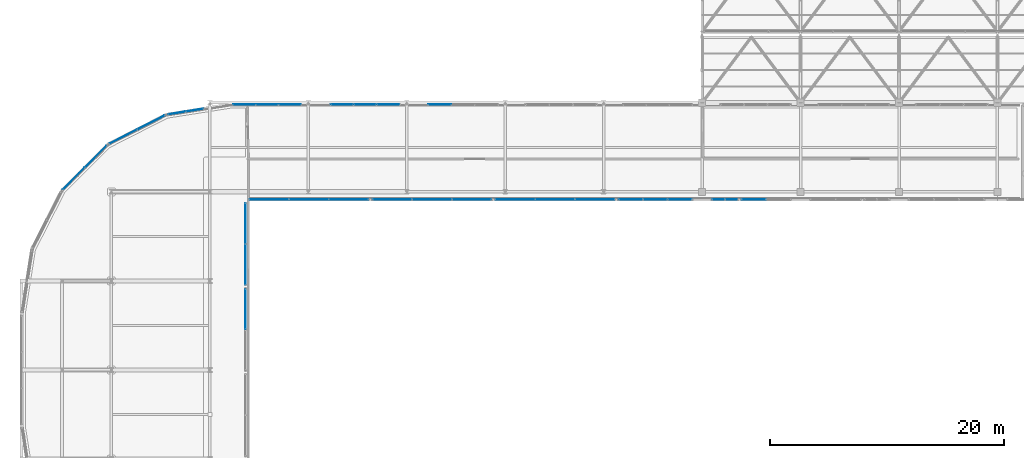
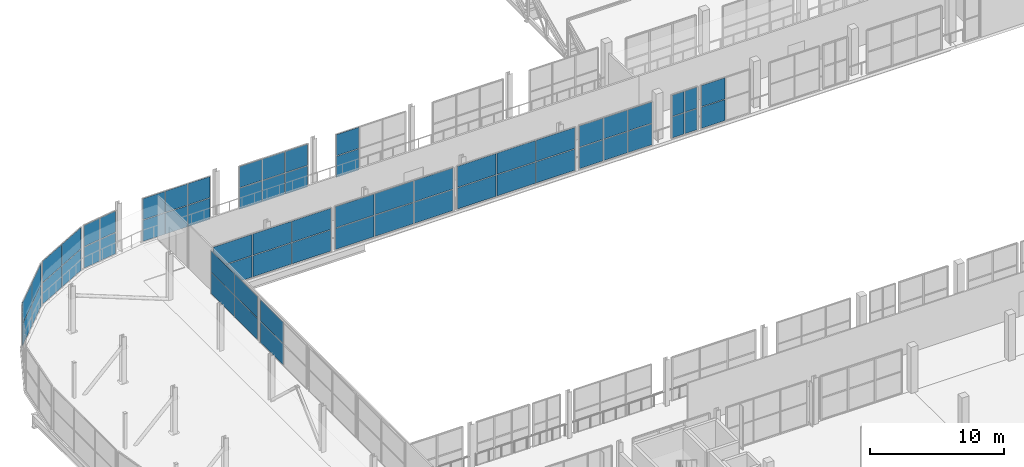
# One storey, part 169 of 217: 62 plates, 14 elements without a shape of their own.
"""IFC4 building model written with IfcOpenShell, lengths in metres."""

from ifc_helpers import new_model, si_unit, direction, frame, origin, origin_2d, place, context, subcontext, project, spatial, rectangle, extrude, material, layer, layer_set, type_object, element, aggregate, save


model = new_model("IFC4")

# Units and contexts
model_context = context("Model", 3, precision=1e-05, world=origin(), true_north=direction((0.0, 1.0)))
body_context = subcontext(model_context, "Body", "Model", "MODEL_VIEW")
ifc_project = project(units=[si_unit("LENGTHUNIT", "METRE"), si_unit("AREAUNIT", "SQUARE_METRE"), si_unit("VOLUMEUNIT", "CUBIC_METRE"), si_unit("PLANEANGLEUNIT", "RADIAN"), si_unit("MASSUNIT", "GRAM", prefix="KILO")], contexts=[model_context])

# Site, building, storey
site_placement = place(None, origin())
site = spatial("IfcSite", under=ifc_project, at=site_placement, CompositionType="ELEMENT")
building_placement = place(site_placement, origin())
building = spatial("IfcBuilding", under=site, at=building_placement, Name="Zuvorla Pavilion Media Centre", CompositionType="ELEMENT")
storey_placement = place(building_placement, frame((0.0, 0.0, 9.60009765625)))
storey = spatial("IfcBuildingStorey", under=building, at=storey_placement, Name="L02", CompositionType="ELEMENT", Elevation=9.60009765625)

# Curtain wall, plates
ifc_material_1 = material(Name="Unitised anodised aluminium and solar glass curtain wall", Category="aluminium")
curtain_wall_type_1 = type_object("IfcCurtainWallType", Name="CW-SYS-17", PredefinedType="USERDEFINED", material=ifc_material_1)
curtain_wall_1_placement = place(storey_placement, origin())
curtain_wall_1 = element("IfcCurtainWall", 1, at=curtain_wall_1_placement, inside=storey, type_object=curtain_wall_type_1, Name="L02 curtain wall CW17 25", ObjectType="CURTAIN WALL", PredefinedType="USERDEFINED")
ifc_material_2 = material(Name="Solar control double glazing", Category="glass")
ifc_layer_1 = layer(ifc_material_2, 0.028076171875)
ifc_layer_set_1 = layer_set([ifc_layer_1], Name="Solar control double glazing")
plate_type_1 = type_object("IfcPlateType", Name="CW-PNL-28", PredefinedType="CURTAIN_PANEL", material=ifc_layer_set_1)
plate_1_placement = place(storey_placement, frame((40.013916015625, 89.43994140625, 0.02978515625), z_axis=(0.0, 0.0, 1.0), x_axis=(-1.0, 0.0, 0.0)))
plate_1 = element("IfcPlate", 2, at=plate_1_placement, type_object=plate_type_1, Name="CW17 panel 1.1", PredefinedType="CURTAIN_PANEL", context=body_context, shape_type="SweptSolid", body=[
    extrude(rectangle(XDim=1.91162109375, YDim=0.028076171875, at=origin_2d()), origin(), (0.0, 0.0, 1.0), 1.9150390625),
])
plate_2_placement = place(storey_placement, frame((40.013916015625, 89.43994140625, 2.0048828125), z_axis=(0.0, 0.0, 1.0), x_axis=(-1.0, 0.0, 0.0)))
plate_2 = element("IfcPlate", 3, at=plate_2_placement, type_object=plate_type_1, Name="CW17 panel 1.2", PredefinedType="CURTAIN_PANEL", context=body_context, shape_type="SweptSolid", body=[
    extrude(rectangle(XDim=1.91162109375, YDim=0.028076171875, at=origin_2d()), origin(), (0.0, 0.0, 1.0), 1.9150390625),
])
plate_3_placement = place(storey_placement, frame((38.04248046875, 89.43994140625, 0.02978515625), z_axis=(0.0, 0.0, 1.0), x_axis=(-1.0, 0.0, 0.0)))
plate_3 = element("IfcPlate", 4, at=plate_3_placement, type_object=plate_type_1, Name="CW17 panel 2.1", PredefinedType="CURTAIN_PANEL", context=body_context, shape_type="SweptSolid", body=[
    extrude(rectangle(XDim=1.91162109375, YDim=0.028076171875, at=origin_2d()), origin(), (0.0, 0.0, 1.0), 1.9150390625),
])
plate_4_placement = place(storey_placement, frame((38.04248046875, 89.43994140625, 2.0048828125), z_axis=(0.0, 0.0, 1.0), x_axis=(-1.0, 0.0, 0.0)))
plate_4 = element("IfcPlate", 5, at=plate_4_placement, type_object=plate_type_1, Name="CW17 panel 2.2", PredefinedType="CURTAIN_PANEL", context=body_context, shape_type="SweptSolid", body=[
    extrude(rectangle(XDim=1.91162109375, YDim=0.028076171875, at=origin_2d()), origin(), (0.0, 0.0, 1.0), 1.9150390625),
])
plate_5_placement = place(storey_placement, frame((36.07080078125, 89.43994140625, 0.02978515625), z_axis=(0.0, 0.0, 1.0), x_axis=(-1.0, 0.0, 0.0)))
plate_5 = element("IfcPlate", 6, at=plate_5_placement, type_object=plate_type_1, Name="CW17 panel 3.1", PredefinedType="CURTAIN_PANEL", context=body_context, shape_type="SweptSolid", body=[
    extrude(rectangle(XDim=1.91162109375, YDim=0.028076171875, at=origin_2d()), origin(), (0.0, 0.0, 1.0), 1.9150390625),
])
plate_6_placement = place(storey_placement, frame((36.07080078125, 89.43994140625, 2.0048828125), z_axis=(0.0, 0.0, 1.0), x_axis=(-1.0, 0.0, 0.0)))
plate_6 = element("IfcPlate", 7, at=plate_6_placement, type_object=plate_type_1, Name="CW17 panel 3.2", PredefinedType="CURTAIN_PANEL", context=body_context, shape_type="SweptSolid", body=[
    extrude(rectangle(XDim=1.91162109375, YDim=0.028076171875, at=origin_2d()), origin(), (0.0, 0.0, 1.0), 1.9150390625),
])
aggregate(curtain_wall_1, [plate_1, plate_2, plate_3, plate_4, plate_5, plate_6])

curtain_wall_type_2 = type_object("IfcCurtainWallType", Name="CW-SYS-01", PredefinedType="USERDEFINED", material=ifc_material_1)
curtain_wall_2_placement = place(storey_placement, origin())
curtain_wall_2 = element("IfcCurtainWall", 8, at=curtain_wall_2_placement, inside=storey, type_object=curtain_wall_type_2, Name="L02 curtain wall CW01 27", ObjectType="CURTAIN WALL", PredefinedType="USERDEFINED")
plate_7_placement = place(storey_placement, frame((23.50927734375, 88.96875, 0.02978515625), z_axis=(0.0, 0.0, 1.0), x_axis=(-0.987690520963, -0.156420698118, 0.0)))
plate_7 = element("IfcPlate", 9, at=plate_7_placement, type_object=plate_type_1, Name="CW01 panel 1.1", PredefinedType="CURTAIN_PANEL", context=body_context, shape_type="SweptSolid", body=[
    extrude(rectangle(XDim=1.48681640625, YDim=0.028076171875, at=origin_2d()), origin(), (0.0, 0.0, 1.0), 1.9150390625),
])
plate_8_placement = place(storey_placement, frame((23.50927734375, 88.96875, 2.0048828125), z_axis=(0.0, 0.0, 1.0), x_axis=(-0.987690520963, -0.156420698118, 0.0)))
plate_8 = element("IfcPlate", 10, at=plate_8_placement, type_object=plate_type_1, Name="CW01 panel 1.2", PredefinedType="CURTAIN_PANEL", context=body_context, shape_type="SweptSolid", body=[
    extrude(rectangle(XDim=1.48681640625, YDim=0.028076171875, at=origin_2d()), origin(), (0.0, 0.0, 1.0), 1.9150390625),
])
plate_9_placement = place(storey_placement, frame((21.9814453125, 88.726806640625, 0.02978515625), z_axis=(0.0, 0.0, 1.0), x_axis=(-0.987690520963, -0.156420698118, 0.0)))
plate_9 = element("IfcPlate", 11, at=plate_9_placement, type_object=plate_type_1, Name="CW01 panel 2.1", PredefinedType="CURTAIN_PANEL", context=body_context, shape_type="SweptSolid", body=[
    extrude(rectangle(XDim=1.48681640625, YDim=0.028076171875, at=origin_2d()), origin(), (0.0, 0.0, 1.0), 1.9150390625),
])
plate_10_placement = place(storey_placement, frame((21.9814453125, 88.726806640625, 2.0048828125), z_axis=(0.0, 0.0, 1.0), x_axis=(-0.987690520963, -0.156420698118, 0.0)))
plate_10 = element("IfcPlate", 12, at=plate_10_placement, type_object=plate_type_1, Name="CW01 panel 2.2", PredefinedType="CURTAIN_PANEL", context=body_context, shape_type="SweptSolid", body=[
    extrude(rectangle(XDim=1.48681640625, YDim=0.028076171875, at=origin_2d()), origin(), (0.0, 0.0, 1.0), 1.9150390625),
])
aggregate(curtain_wall_2, [plate_7, plate_8, plate_9, plate_10])

curtain_wall_type_3 = type_object("IfcCurtainWallType", Name="CW-SYS-35", PredefinedType="USERDEFINED", material=ifc_material_1)
curtain_wall_3_placement = place(storey_placement, origin())
curtain_wall_3 = element("IfcCurtainWall", 13, at=curtain_wall_3_placement, inside=storey, type_object=curtain_wall_type_3, Name="L02 curtain wall CW35 56", ObjectType="CURTAIN WALL", PredefinedType="USERDEFINED")
plate_11_placement = place(storey_placement, frame((57.643310546875, 81.360107421875, 0.02978515625), z_axis=(0.0, 0.0, 1.0), x_axis=(-1.0, 0.0, 0.0)))
plate_11 = element("IfcPlate", 14, at=plate_11_placement, type_object=plate_type_1, Name="CW35 panel 1.1", PredefinedType="CURTAIN_PANEL", context=body_context, shape_type="SweptSolid", body=[
    extrude(rectangle(XDim=3.333251953125, YDim=0.028076171875, at=origin_2d()), origin(), (0.0, 0.0, 1.0), 1.9150390625),
])
plate_12_placement = place(storey_placement, frame((57.643310546875, 81.360107421875, 2.0048828125), z_axis=(0.0, 0.0, 1.0), x_axis=(-1.0, 0.0, 0.0)))
plate_12 = element("IfcPlate", 15, at=plate_12_placement, type_object=plate_type_1, Name="CW35 panel 1.2", PredefinedType="CURTAIN_PANEL", context=body_context, shape_type="SweptSolid", body=[
    extrude(rectangle(XDim=3.333251953125, YDim=0.028076171875, at=origin_2d()), origin(), (0.0, 0.0, 1.0), 1.9150390625),
])
plate_13_placement = place(storey_placement, frame((54.25, 81.360107421875, 0.02978515625), z_axis=(0.0, 0.0, 1.0), x_axis=(-1.0, 0.0, 0.0)))
plate_13 = element("IfcPlate", 16, at=plate_13_placement, type_object=plate_type_1, Name="CW35 panel 2.1", PredefinedType="CURTAIN_PANEL", context=body_context, shape_type="SweptSolid", body=[
    extrude(rectangle(XDim=3.333251953125, YDim=0.028076171875, at=origin_2d()), origin(), (0.0, 0.0, 1.0), 1.9150390625),
])
plate_14_placement = place(storey_placement, frame((54.25, 81.360107421875, 2.0048828125), z_axis=(0.0, 0.0, 1.0), x_axis=(-1.0, 0.0, 0.0)))
plate_14 = element("IfcPlate", 17, at=plate_14_placement, type_object=plate_type_1, Name="CW35 panel 2.2", PredefinedType="CURTAIN_PANEL", context=body_context, shape_type="SweptSolid", body=[
    extrude(rectangle(XDim=3.333251953125, YDim=0.028076171875, at=origin_2d()), origin(), (0.0, 0.0, 1.0), 1.9150390625),
])
plate_15_placement = place(storey_placement, frame((50.856689453125, 81.360107421875, 0.02978515625), z_axis=(0.0, 0.0, 1.0), x_axis=(-1.0, 0.0, 0.0)))
plate_15 = element("IfcPlate", 18, at=plate_15_placement, type_object=plate_type_1, Name="CW35 panel 3.1", PredefinedType="CURTAIN_PANEL", context=body_context, shape_type="SweptSolid", body=[
    extrude(rectangle(XDim=3.333251953125, YDim=0.028076171875, at=origin_2d()), origin(), (0.0, 0.0, 1.0), 1.9150390625),
])
plate_16_placement = place(storey_placement, frame((50.856689453125, 81.360107421875, 2.0048828125), z_axis=(0.0, 0.0, 1.0), x_axis=(-1.0, 0.0, 0.0)))
plate_16 = element("IfcPlate", 19, at=plate_16_placement, type_object=plate_type_1, Name="CW35 panel 3.2", PredefinedType="CURTAIN_PANEL", context=body_context, shape_type="SweptSolid", body=[
    extrude(rectangle(XDim=3.333251953125, YDim=0.028076171875, at=origin_2d()), origin(), (0.0, 0.0, 1.0), 1.9150390625),
])
aggregate(curtain_wall_3, [plate_11, plate_12, plate_13, plate_14, plate_15, plate_16])

curtain_wall_type_4 = type_object("IfcCurtainWallType", Name="CW-SYS-19", PredefinedType="USERDEFINED", material=ifc_material_1)
curtain_wall_4_placement = place(storey_placement, origin())
curtain_wall_4 = element("IfcCurtainWall", 20, at=curtain_wall_4_placement, inside=storey, type_object=curtain_wall_type_4, Name="L02 curtain wall CW19 26", ObjectType="CURTAIN WALL", PredefinedType="USERDEFINED")
ifc_material_3 = material(Name="Acoustic laminated solar glazing", Category="glass")
ifc_layer_2 = layer(ifc_material_3, 0.033935546875)
ifc_layer_set_2 = layer_set([ifc_layer_2], Name="Acoustic laminated solar glazing")
plate_type_2 = type_object("IfcPlateType", Name="CW-PNL-34", PredefinedType="CURTAIN_PANEL", material=ifc_layer_set_2)
plate_17_placement = place(storey_placement, frame((31.62646484375, 89.43994140625, 0.02978515625), z_axis=(0.0, 0.0, 1.0), x_axis=(-1.0, 0.0, 0.0)))
plate_17 = element("IfcPlate", 21, at=plate_17_placement, type_object=plate_type_2, Name="CW19 panel 1.1", PredefinedType="CURTAIN_PANEL", context=body_context, shape_type="SweptSolid", body=[
    extrude(rectangle(XDim=1.88671875, YDim=0.033935546875, at=origin_2d()), origin(), (0.0, 0.0, 1.0), 1.9150390625),
])
plate_18_placement = place(storey_placement, frame((31.62646484375, 89.43994140625, 2.0048828125), z_axis=(0.0, 0.0, 1.0), x_axis=(-1.0, 0.0, 0.0)))
plate_18 = element("IfcPlate", 22, at=plate_18_placement, type_object=plate_type_2, Name="CW19 panel 1.2", PredefinedType="CURTAIN_PANEL", context=body_context, shape_type="SweptSolid", body=[
    extrude(rectangle(XDim=1.88671875, YDim=0.033935546875, at=origin_2d()), origin(), (0.0, 0.0, 1.0), 1.9150390625),
])
plate_19_placement = place(storey_placement, frame((29.679931640625, 89.43994140625, 0.02978515625), z_axis=(0.0, 0.0, 1.0), x_axis=(-1.0, 0.0, 0.0)))
plate_19 = element("IfcPlate", 23, at=plate_19_placement, type_object=plate_type_2, Name="CW19 panel 2.1", PredefinedType="CURTAIN_PANEL", context=body_context, shape_type="SweptSolid", body=[
    extrude(rectangle(XDim=1.88671875, YDim=0.033935546875, at=origin_2d()), origin(), (0.0, 0.0, 1.0), 1.9150390625),
])
plate_20_placement = place(storey_placement, frame((29.679931640625, 89.43994140625, 2.0048828125), z_axis=(0.0, 0.0, 1.0), x_axis=(-1.0, 0.0, 0.0)))
plate_20 = element("IfcPlate", 24, at=plate_20_placement, type_object=plate_type_2, Name="CW19 panel 2.2", PredefinedType="CURTAIN_PANEL", context=body_context, shape_type="SweptSolid", body=[
    extrude(rectangle(XDim=1.88671875, YDim=0.033935546875, at=origin_2d()), origin(), (0.0, 0.0, 1.0), 1.9150390625),
])
plate_21_placement = place(storey_placement, frame((27.7333984375, 89.43994140625, 0.02978515625), z_axis=(0.0, 0.0, 1.0), x_axis=(-1.0, 0.0, 0.0)))
plate_21 = element("IfcPlate", 25, at=plate_21_placement, type_object=plate_type_2, Name="CW19 panel 3.1", PredefinedType="CURTAIN_PANEL", context=body_context, shape_type="SweptSolid", body=[
    extrude(rectangle(XDim=1.88671875, YDim=0.033935546875, at=origin_2d()), origin(), (0.0, 0.0, 1.0), 1.9150390625),
])
plate_22_placement = place(storey_placement, frame((27.7333984375, 89.43994140625, 2.0048828125), z_axis=(0.0, 0.0, 1.0), x_axis=(-1.0, 0.0, 0.0)))
plate_22 = element("IfcPlate", 26, at=plate_22_placement, type_object=plate_type_2, Name="CW19 panel 3.2", PredefinedType="CURTAIN_PANEL", context=body_context, shape_type="SweptSolid", body=[
    extrude(rectangle(XDim=1.88671875, YDim=0.033935546875, at=origin_2d()), origin(), (0.0, 0.0, 1.0), 1.9150390625),
])
aggregate(curtain_wall_4, [plate_17, plate_18, plate_19, plate_20, plate_21, plate_22])

curtain_wall_type_5 = type_object("IfcCurtainWallType", Name="CW-SYS-02", PredefinedType="USERDEFINED", material=ifc_material_1)
curtain_wall_5_placement = place(storey_placement, origin())
curtain_wall_5 = element("IfcCurtainWall", 27, at=curtain_wall_5_placement, inside=storey, type_object=curtain_wall_type_5, Name="L02 curtain wall CW02 28", ObjectType="CURTAIN WALL", PredefinedType="USERDEFINED")
plate_23_placement = place(storey_placement, frame((19.775634765625, 87.918701171875, 0.02978515625), z_axis=(0.0, 0.0, 1.0), x_axis=(-0.891008892216, -0.453985852193, 0.0)))
plate_23 = element("IfcPlate", 28, at=plate_23_placement, type_object=plate_type_2, Name="CW02 panel 1.1", PredefinedType="CURTAIN_PANEL", context=body_context, shape_type="SweptSolid", body=[
    extrude(rectangle(XDim=2.595703125, YDim=0.033935546875, at=origin_2d()), origin(), (0.0, 0.0, 1.0), 1.9150390625),
])
plate_24_placement = place(storey_placement, frame((19.775634765625, 87.918701171875, 2.0048828125), z_axis=(0.0, 0.0, 1.0), x_axis=(-0.891008892216, -0.453985852193, 0.0)))
plate_24 = element("IfcPlate", 29, at=plate_24_placement, type_object=plate_type_2, Name="CW02 panel 1.2", PredefinedType="CURTAIN_PANEL", context=body_context, shape_type="SweptSolid", body=[
    extrude(rectangle(XDim=2.595703125, YDim=0.033935546875, at=origin_2d()), origin(), (0.0, 0.0, 1.0), 1.9150390625),
])
plate_25_placement = place(storey_placement, frame((17.4091796875, 86.713134765625, 0.02978515625), z_axis=(0.0, 0.0, 1.0), x_axis=(-0.891008892216, -0.453985852193, 0.0)))
plate_25 = element("IfcPlate", 30, at=plate_25_placement, type_object=plate_type_2, Name="CW02 panel 2.1", PredefinedType="CURTAIN_PANEL", context=body_context, shape_type="SweptSolid", body=[
    extrude(rectangle(XDim=2.595703125, YDim=0.033935546875, at=origin_2d()), origin(), (0.0, 0.0, 1.0), 1.9150390625),
])
plate_26_placement = place(storey_placement, frame((17.4091796875, 86.713134765625, 2.0048828125), z_axis=(0.0, 0.0, 1.0), x_axis=(-0.891008892216, -0.453985852193, 0.0)))
plate_26 = element("IfcPlate", 31, at=plate_26_placement, type_object=plate_type_2, Name="CW02 panel 2.2", PredefinedType="CURTAIN_PANEL", context=body_context, shape_type="SweptSolid", body=[
    extrude(rectangle(XDim=2.595703125, YDim=0.033935546875, at=origin_2d()), origin(), (0.0, 0.0, 1.0), 1.9150390625),
])
aggregate(curtain_wall_5, [plate_23, plate_24, plate_25, plate_26])

curtain_wall_type_6 = type_object("IfcCurtainWallType", Name="CW-SYS-30", PredefinedType="USERDEFINED", material=ifc_material_1)
curtain_wall_6_placement = place(storey_placement, origin())
curtain_wall_6 = element("IfcCurtainWall", 32, at=curtain_wall_6_placement, inside=storey, type_object=curtain_wall_type_6, Name="L02 curtain wall CW30 51", ObjectType="CURTAIN WALL", PredefinedType="USERDEFINED")
plate_27_placement = place(storey_placement, frame((36.643310546875, 81.360107421875, 0.02978515625), z_axis=(0.0, 0.0, 1.0), x_axis=(-1.0, 0.0, 0.0)))
plate_27 = element("IfcPlate", 33, at=plate_27_placement, type_object=plate_type_2, Name="CW30 panel 1.1", PredefinedType="CURTAIN_PANEL", context=body_context, shape_type="SweptSolid", body=[
    extrude(rectangle(XDim=3.333251953125, YDim=0.033935546875, at=origin_2d()), origin(), (0.0, 0.0, 1.0), 1.9150390625),
])
plate_28_placement = place(storey_placement, frame((36.643310546875, 81.360107421875, 2.0048828125), z_axis=(0.0, 0.0, 1.0), x_axis=(-1.0, 0.0, 0.0)))
plate_28 = element("IfcPlate", 34, at=plate_28_placement, type_object=plate_type_2, Name="CW30 panel 1.2", PredefinedType="CURTAIN_PANEL", context=body_context, shape_type="SweptSolid", body=[
    extrude(rectangle(XDim=3.333251953125, YDim=0.033935546875, at=origin_2d()), origin(), (0.0, 0.0, 1.0), 1.9150390625),
])
plate_29_placement = place(storey_placement, frame((33.25, 81.360107421875, 0.02978515625), z_axis=(0.0, 0.0, 1.0), x_axis=(-1.0, 0.0, 0.0)))
plate_29 = element("IfcPlate", 35, at=plate_29_placement, type_object=plate_type_2, Name="CW30 panel 2.1", PredefinedType="CURTAIN_PANEL", context=body_context, shape_type="SweptSolid", body=[
    extrude(rectangle(XDim=3.333251953125, YDim=0.033935546875, at=origin_2d()), origin(), (0.0, 0.0, 1.0), 1.9150390625),
])
plate_30_placement = place(storey_placement, frame((33.25, 81.360107421875, 2.0048828125), z_axis=(0.0, 0.0, 1.0), x_axis=(-1.0, 0.0, 0.0)))
plate_30 = element("IfcPlate", 36, at=plate_30_placement, type_object=plate_type_2, Name="CW30 panel 2.2", PredefinedType="CURTAIN_PANEL", context=body_context, shape_type="SweptSolid", body=[
    extrude(rectangle(XDim=3.333251953125, YDim=0.033935546875, at=origin_2d()), origin(), (0.0, 0.0, 1.0), 1.9150390625),
])
plate_31_placement = place(storey_placement, frame((29.856689453125, 81.360107421875, 0.02978515625), z_axis=(0.0, 0.0, 1.0), x_axis=(-1.0, 0.0, 0.0)))
plate_31 = element("IfcPlate", 37, at=plate_31_placement, type_object=plate_type_2, Name="CW30 panel 3.1", PredefinedType="CURTAIN_PANEL", context=body_context, shape_type="SweptSolid", body=[
    extrude(rectangle(XDim=3.333251953125, YDim=0.033935546875, at=origin_2d()), origin(), (0.0, 0.0, 1.0), 1.9150390625),
])
plate_32_placement = place(storey_placement, frame((29.856689453125, 81.360107421875, 2.0048828125), z_axis=(0.0, 0.0, 1.0), x_axis=(-1.0, 0.0, 0.0)))
plate_32 = element("IfcPlate", 38, at=plate_32_placement, type_object=plate_type_2, Name="CW30 panel 3.2", PredefinedType="CURTAIN_PANEL", context=body_context, shape_type="SweptSolid", body=[
    extrude(rectangle(XDim=3.333251953125, YDim=0.033935546875, at=origin_2d()), origin(), (0.0, 0.0, 1.0), 1.9150390625),
])
aggregate(curtain_wall_6, [plate_27, plate_28, plate_29, plate_30, plate_31, plate_32])

curtain_wall_type_7 = type_object("IfcCurtainWallType", Name="CW-SYS-38", PredefinedType="USERDEFINED", material=ifc_material_1)
curtain_wall_7_placement = place(storey_placement, origin())
curtain_wall_7 = element("IfcCurtainWall", 39, at=curtain_wall_7_placement, inside=storey, type_object=curtain_wall_type_7, Name="L02 curtain wall CW38 59", ObjectType="CURTAIN WALL", PredefinedType="USERDEFINED")
plate_33_placement = place(storey_placement, frame((69.29248046875, 81.360107421875, 0.02978515625), z_axis=(0.0, 0.0, 1.0), x_axis=(-1.0, 0.0, 0.0)))
plate_33 = element("IfcPlate", 40, at=plate_33_placement, type_object=plate_type_2, Name="CW38 panel 1.1", PredefinedType="CURTAIN_PANEL", context=body_context, shape_type="SweptSolid", body=[
    extrude(rectangle(XDim=1.034912109375, YDim=0.033935546875, at=origin_2d()), origin(), (0.0, 0.0, 1.0), 1.9150390625),
])
plate_34_placement = place(storey_placement, frame((69.29248046875, 81.360107421875, 2.0048828125), z_axis=(0.0, 0.0, 1.0), x_axis=(-1.0, 0.0, 0.0)))
plate_34 = element("IfcPlate", 41, at=plate_34_placement, type_object=plate_type_2, Name="CW38 panel 1.2", PredefinedType="CURTAIN_PANEL", context=body_context, shape_type="SweptSolid", body=[
    extrude(rectangle(XDim=1.034912109375, YDim=0.033935546875, at=origin_2d()), origin(), (0.0, 0.0, 1.0), 1.9150390625),
])
plate_35_placement = place(storey_placement, frame((68.19775390625, 81.360107421875, 0.02978515625), z_axis=(0.0, 0.0, 1.0), x_axis=(-1.0, 0.0, 0.0)))
plate_35 = element("IfcPlate", 42, at=plate_35_placement, type_object=plate_type_2, Name="CW38 panel 2.1", PredefinedType="CURTAIN_PANEL", context=body_context, shape_type="SweptSolid", body=[
    extrude(rectangle(XDim=1.034912109375, YDim=0.033935546875, at=origin_2d()), origin(), (0.0, 0.0, 1.0), 1.9150390625),
])
plate_36_placement = place(storey_placement, frame((68.19775390625, 81.360107421875, 2.0048828125), z_axis=(0.0, 0.0, 1.0), x_axis=(-1.0, 0.0, 0.0)))
plate_36 = element("IfcPlate", 43, at=plate_36_placement, type_object=plate_type_2, Name="CW38 panel 2.2", PredefinedType="CURTAIN_PANEL", context=body_context, shape_type="SweptSolid", body=[
    extrude(rectangle(XDim=1.034912109375, YDim=0.033935546875, at=origin_2d()), origin(), (0.0, 0.0, 1.0), 1.9150390625),
])
aggregate(curtain_wall_7, [plate_33, plate_34, plate_35, plate_36])

curtain_wall_type_8 = type_object("IfcCurtainWallType", Name="CW-SYS-39", PredefinedType="USERDEFINED", material=ifc_material_1)
curtain_wall_8_placement = place(storey_placement, origin())
curtain_wall_8 = element("IfcCurtainWall", 44, at=curtain_wall_8_placement, inside=storey, type_object=curtain_wall_type_8, Name="L02 curtain wall CW39 60", ObjectType="CURTAIN WALL", PredefinedType="USERDEFINED")
plate_37_placement = place(storey_placement, frame((64.9013671875, 81.360107421875, 0.02978515625), z_axis=(0.0, 0.0, 1.0), x_axis=(-1.0, 0.0, 0.0)))
plate_37 = element("IfcPlate", 45, at=plate_37_placement, type_object=plate_type_2, Name="CW39 panel 1.1", PredefinedType="CURTAIN_PANEL", context=body_context, shape_type="SweptSolid", body=[
    extrude(rectangle(XDim=2.03662109375, YDim=0.033935546875, at=origin_2d()), origin(), (0.0, 0.0, 1.0), 1.9150390625),
])
plate_38_placement = place(storey_placement, frame((64.9013671875, 81.360107421875, 2.0048828125), z_axis=(0.0, 0.0, 1.0), x_axis=(-1.0, 0.0, 0.0)))
plate_38 = element("IfcPlate", 46, at=plate_38_placement, type_object=plate_type_2, Name="CW39 panel 1.2", PredefinedType="CURTAIN_PANEL", context=body_context, shape_type="SweptSolid", body=[
    extrude(rectangle(XDim=2.03662109375, YDim=0.033935546875, at=origin_2d()), origin(), (0.0, 0.0, 1.0), 1.9150390625),
])
plate_39_placement = place(storey_placement, frame((62.804931640625, 81.360107421875, 0.02978515625), z_axis=(0.0, 0.0, 1.0), x_axis=(-1.0, 0.0, 0.0)))
plate_39 = element("IfcPlate", 47, at=plate_39_placement, type_object=plate_type_2, Name="CW39 panel 2.1", PredefinedType="CURTAIN_PANEL", context=body_context, shape_type="SweptSolid", body=[
    extrude(rectangle(XDim=2.03662109375, YDim=0.033935546875, at=origin_2d()), origin(), (0.0, 0.0, 1.0), 1.9150390625),
])
plate_40_placement = place(storey_placement, frame((62.804931640625, 81.360107421875, 2.0048828125), z_axis=(0.0, 0.0, 1.0), x_axis=(-1.0, 0.0, 0.0)))
plate_40 = element("IfcPlate", 48, at=plate_40_placement, type_object=plate_type_2, Name="CW39 panel 2.2", PredefinedType="CURTAIN_PANEL", context=body_context, shape_type="SweptSolid", body=[
    extrude(rectangle(XDim=2.03662109375, YDim=0.033935546875, at=origin_2d()), origin(), (0.0, 0.0, 1.0), 1.9150390625),
])
plate_41_placement = place(storey_placement, frame((60.708251953125, 81.360107421875, 0.02978515625), z_axis=(0.0, 0.0, 1.0), x_axis=(-1.0, 0.0, 0.0)))
plate_41 = element("IfcPlate", 49, at=plate_41_placement, type_object=plate_type_2, Name="CW39 panel 3.1", PredefinedType="CURTAIN_PANEL", context=body_context, shape_type="SweptSolid", body=[
    extrude(rectangle(XDim=2.03662109375, YDim=0.033935546875, at=origin_2d()), origin(), (0.0, 0.0, 1.0), 1.9150390625),
])
plate_42_placement = place(storey_placement, frame((60.708251953125, 81.360107421875, 2.0048828125), z_axis=(0.0, 0.0, 1.0), x_axis=(-1.0, 0.0, 0.0)))
plate_42 = element("IfcPlate", 50, at=plate_42_placement, type_object=plate_type_2, Name="CW39 panel 3.2", PredefinedType="CURTAIN_PANEL", context=body_context, shape_type="SweptSolid", body=[
    extrude(rectangle(XDim=2.03662109375, YDim=0.033935546875, at=origin_2d()), origin(), (0.0, 0.0, 1.0), 1.9150390625),
])
aggregate(curtain_wall_8, [plate_37, plate_38, plate_39, plate_40, plate_41, plate_42])

curtain_wall_type_9 = type_object("IfcCurtainWallType", Name="CW-SYS-58", PredefinedType="USERDEFINED", material=ifc_material_1)
curtain_wall_9_placement = place(storey_placement, origin())
curtain_wall_9 = element("IfcCurtainWall", 51, at=curtain_wall_9_placement, inside=storey, type_object=curtain_wall_type_9, Name="L02 curtain wall CW58 91", ObjectType="CURTAIN WALL", PredefinedType="USERDEFINED")
plate_43_placement = place(storey_placement, frame((27.840087890625, 71.9951171875, 0.02978515625), z_axis=(0.0, 0.0, 1.0), x_axis=(0.0, -1.0, 0.0)))
plate_43 = element("IfcPlate", 52, at=plate_43_placement, type_object=plate_type_2, Name="CW58 panel 1.1", PredefinedType="CURTAIN_PANEL", context=body_context, shape_type="SweptSolid", body=[
    extrude(rectangle(XDim=3.429931640625, YDim=0.033935546875, at=origin_2d()), origin(), (0.0, 0.0, 1.0), 1.9150390625),
])
plate_44_placement = place(storey_placement, frame((27.840087890625, 71.9951171875, 2.0048828125), z_axis=(0.0, 0.0, 1.0), x_axis=(0.0, -1.0, 0.0)))
plate_44 = element("IfcPlate", 53, at=plate_44_placement, type_object=plate_type_2, Name="CW58 panel 1.2", PredefinedType="CURTAIN_PANEL", context=body_context, shape_type="SweptSolid", body=[
    extrude(rectangle(XDim=3.429931640625, YDim=0.033935546875, at=origin_2d()), origin(), (0.0, 0.0, 1.0), 1.9150390625),
])
aggregate(curtain_wall_9, [plate_43, plate_44])

curtain_wall_type_10 = type_object("IfcCurtainWallType", Name="CW-SYS-18", PredefinedType="USERDEFINED", material=ifc_material_1)
curtain_wall_10_placement = place(storey_placement, origin())
curtain_wall_10 = element("IfcCurtainWall", 54, at=curtain_wall_10_placement, inside=storey, type_object=curtain_wall_type_10, Name="L02 curtain wall CW18 24", ObjectType="CURTAIN WALL", PredefinedType="USERDEFINED")
ifc_material_4 = material(Name="Triple acoustic broadcast glazing", Category="glass")
ifc_layer_3 = layer(ifc_material_4, 0.0419921875)
ifc_layer_set_3 = layer_set([ifc_layer_3], Name="Triple acoustic broadcast glazing")
plate_type_3 = type_object("IfcPlateType", Name="CW-PNL-42", PredefinedType="CURTAIN_PANEL", material=ifc_layer_set_3)
plate_45_placement = place(storey_placement, frame((44.408203125, 89.43994140625, 0.02978515625), z_axis=(0.0, 0.0, 1.0), x_axis=(-1.0, 0.0, 0.0)))
plate_45 = element("IfcPlate", 55, at=plate_45_placement, type_object=plate_type_3, Name="CW18 panel 3.1", PredefinedType="CURTAIN_PANEL", context=body_context, shape_type="SweptSolid", body=[
    extrude(rectangle(XDim=1.9365234375, YDim=0.0419921875, at=origin_2d()), origin(), (0.0, 0.0, 1.0), 1.9150390625),
])
plate_46_placement = place(storey_placement, frame((44.408203125, 89.43994140625, 2.0048828125), z_axis=(0.0, 0.0, 1.0), x_axis=(-1.0, 0.0, 0.0)))
plate_46 = element("IfcPlate", 56, at=plate_46_placement, type_object=plate_type_3, Name="CW18 panel 3.2", PredefinedType="CURTAIN_PANEL", context=body_context, shape_type="SweptSolid", body=[
    extrude(rectangle(XDim=1.9365234375, YDim=0.0419921875, at=origin_2d()), origin(), (0.0, 0.0, 1.0), 1.9150390625),
])
aggregate(curtain_wall_10, [plate_45, plate_46])

curtain_wall_type_11 = type_object("IfcCurtainWallType", Name="CW-SYS-03", PredefinedType="USERDEFINED", material=ifc_material_1)
curtain_wall_11_placement = place(storey_placement, origin())
curtain_wall_11 = element("IfcCurtainWall", 57, at=curtain_wall_11_placement, inside=storey, type_object=curtain_wall_type_11, Name="L02 curtain wall CW03 29", ObjectType="CURTAIN WALL", PredefinedType="USERDEFINED")
plate_47_placement = place(storey_placement, frame((15.06689453125, 85.01123046875, 0.02978515625), z_axis=(0.0, 0.0, 1.0), x_axis=(-0.707106781187, -0.707106781187, 0.0)))
plate_47 = element("IfcPlate", 58, at=plate_47_placement, type_object=plate_type_3, Name="CW03 panel 1.1", PredefinedType="CURTAIN_PANEL", context=body_context, shape_type="SweptSolid", body=[
    extrude(rectangle(XDim=2.595947265625, YDim=0.0419921875, at=origin_2d()), origin(), (0.0, 0.0, 1.0), 1.9150390625),
])
plate_48_placement = place(storey_placement, frame((15.06689453125, 85.01123046875, 2.0048828125), z_axis=(0.0, 0.0, 1.0), x_axis=(-0.707106781187, -0.707106781187, 0.0)))
plate_48 = element("IfcPlate", 59, at=plate_48_placement, type_object=plate_type_3, Name="CW03 panel 1.2", PredefinedType="CURTAIN_PANEL", context=body_context, shape_type="SweptSolid", body=[
    extrude(rectangle(XDim=2.595947265625, YDim=0.0419921875, at=origin_2d()), origin(), (0.0, 0.0, 1.0), 1.9150390625),
])
plate_49_placement = place(storey_placement, frame((13.188720703125, 83.13330078125, 0.02978515625), z_axis=(0.0, 0.0, 1.0), x_axis=(-0.707106781187, -0.707106781187, 0.0)))
plate_49 = element("IfcPlate", 60, at=plate_49_placement, type_object=plate_type_3, Name="CW03 panel 2.1", PredefinedType="CURTAIN_PANEL", context=body_context, shape_type="SweptSolid", body=[
    extrude(rectangle(XDim=2.595947265625, YDim=0.0419921875, at=origin_2d()), origin(), (0.0, 0.0, 1.0), 1.9150390625),
])
plate_50_placement = place(storey_placement, frame((13.188720703125, 83.13330078125, 2.0048828125), z_axis=(0.0, 0.0, 1.0), x_axis=(-0.707106781187, -0.707106781187, 0.0)))
plate_50 = element("IfcPlate", 61, at=plate_50_placement, type_object=plate_type_3, Name="CW03 panel 2.2", PredefinedType="CURTAIN_PANEL", context=body_context, shape_type="SweptSolid", body=[
    extrude(rectangle(XDim=2.595947265625, YDim=0.0419921875, at=origin_2d()), origin(), (0.0, 0.0, 1.0), 1.9150390625),
])
aggregate(curtain_wall_11, [plate_47, plate_48, plate_49, plate_50])

curtain_wall_type_12 = type_object("IfcCurtainWallType", Name="CW-SYS-33", PredefinedType="USERDEFINED", material=ifc_material_1)
curtain_wall_12_placement = place(storey_placement, origin())
curtain_wall_12 = element("IfcCurtainWall", 62, at=curtain_wall_12_placement, inside=storey, type_object=curtain_wall_type_12, Name="L02 curtain wall CW33 54", ObjectType="CURTAIN WALL", PredefinedType="USERDEFINED")
plate_51_placement = place(storey_placement, frame((47.143310546875, 81.360107421875, 0.02978515625), z_axis=(0.0, 0.0, 1.0), x_axis=(-1.0, 0.0, 0.0)))
plate_51 = element("IfcPlate", 63, at=plate_51_placement, type_object=plate_type_3, Name="CW33 panel 1.1", PredefinedType="CURTAIN_PANEL", context=body_context, shape_type="SweptSolid", body=[
    extrude(rectangle(XDim=3.333251953125, YDim=0.0419921875, at=origin_2d()), origin(), (0.0, 0.0, 1.0), 1.9150390625),
])
plate_52_placement = place(storey_placement, frame((47.143310546875, 81.360107421875, 2.0048828125), z_axis=(0.0, 0.0, 1.0), x_axis=(-1.0, 0.0, 0.0)))
plate_52 = element("IfcPlate", 64, at=plate_52_placement, type_object=plate_type_3, Name="CW33 panel 1.2", PredefinedType="CURTAIN_PANEL", context=body_context, shape_type="SweptSolid", body=[
    extrude(rectangle(XDim=3.333251953125, YDim=0.0419921875, at=origin_2d()), origin(), (0.0, 0.0, 1.0), 1.9150390625),
])
plate_53_placement = place(storey_placement, frame((43.75, 81.360107421875, 0.02978515625), z_axis=(0.0, 0.0, 1.0), x_axis=(-1.0, 0.0, 0.0)))
plate_53 = element("IfcPlate", 65, at=plate_53_placement, type_object=plate_type_3, Name="CW33 panel 2.1", PredefinedType="CURTAIN_PANEL", context=body_context, shape_type="SweptSolid", body=[
    extrude(rectangle(XDim=3.333251953125, YDim=0.0419921875, at=origin_2d()), origin(), (0.0, 0.0, 1.0), 1.9150390625),
])
plate_54_placement = place(storey_placement, frame((43.75, 81.360107421875, 2.0048828125), z_axis=(0.0, 0.0, 1.0), x_axis=(-1.0, 0.0, 0.0)))
plate_54 = element("IfcPlate", 66, at=plate_54_placement, type_object=plate_type_3, Name="CW33 panel 2.2", PredefinedType="CURTAIN_PANEL", context=body_context, shape_type="SweptSolid", body=[
    extrude(rectangle(XDim=3.333251953125, YDim=0.0419921875, at=origin_2d()), origin(), (0.0, 0.0, 1.0), 1.9150390625),
])
plate_55_placement = place(storey_placement, frame((40.356689453125, 81.360107421875, 0.02978515625), z_axis=(0.0, 0.0, 1.0), x_axis=(-1.0, 0.0, 0.0)))
plate_55 = element("IfcPlate", 67, at=plate_55_placement, type_object=plate_type_3, Name="CW33 panel 3.1", PredefinedType="CURTAIN_PANEL", context=body_context, shape_type="SweptSolid", body=[
    extrude(rectangle(XDim=3.333251953125, YDim=0.0419921875, at=origin_2d()), origin(), (0.0, 0.0, 1.0), 1.9150390625),
])
plate_56_placement = place(storey_placement, frame((40.356689453125, 81.360107421875, 2.0048828125), z_axis=(0.0, 0.0, 1.0), x_axis=(-1.0, 0.0, 0.0)))
plate_56 = element("IfcPlate", 68, at=plate_56_placement, type_object=plate_type_3, Name="CW33 panel 3.2", PredefinedType="CURTAIN_PANEL", context=body_context, shape_type="SweptSolid", body=[
    extrude(rectangle(XDim=3.333251953125, YDim=0.0419921875, at=origin_2d()), origin(), (0.0, 0.0, 1.0), 1.9150390625),
])
aggregate(curtain_wall_12, [plate_51, plate_52, plate_53, plate_54, plate_55, plate_56])

curtain_wall_type_13 = type_object("IfcCurtainWallType", Name="CW-SYS-43", PredefinedType="USERDEFINED", material=ifc_material_1)
curtain_wall_13_placement = place(storey_placement, origin())
curtain_wall_13 = element("IfcCurtainWall", 69, at=curtain_wall_13_placement, inside=storey, type_object=curtain_wall_type_13, Name="L02 curtain wall CW43 64", ObjectType="CURTAIN WALL", PredefinedType="USERDEFINED")
plate_57_placement = place(storey_placement, frame((71.20751953125, 81.360107421875, 0.02978515625), z_axis=(0.0, 0.0, 1.0), x_axis=(-1.0, 0.0, 0.0)))
plate_57 = element("IfcPlate", 70, at=plate_57_placement, type_object=plate_type_3, Name="CW43 panel 2.1", PredefinedType="CURTAIN_PANEL", context=body_context, shape_type="SweptSolid", body=[
    extrude(rectangle(XDim=2.034912109375, YDim=0.0419921875, at=origin_2d()), origin(), (0.0, 0.0, 1.0), 1.9150390625),
])
plate_58_placement = place(storey_placement, frame((71.20751953125, 81.360107421875, 2.0048828125), z_axis=(0.0, 0.0, 1.0), x_axis=(-1.0, 0.0, 0.0)))
plate_58 = element("IfcPlate", 71, at=plate_58_placement, type_object=plate_type_3, Name="CW43 panel 2.2", PredefinedType="CURTAIN_PANEL", context=body_context, shape_type="SweptSolid", body=[
    extrude(rectangle(XDim=2.034912109375, YDim=0.0419921875, at=origin_2d()), origin(), (0.0, 0.0, 1.0), 1.9150390625),
])
aggregate(curtain_wall_13, [plate_57, plate_58])

curtain_wall_type_14 = type_object("IfcCurtainWallType", Name="CW-SYS-57", PredefinedType="USERDEFINED", material=ifc_material_1)
curtain_wall_14_placement = place(storey_placement, origin())
curtain_wall_14 = element("IfcCurtainWall", 72, at=curtain_wall_14_placement, inside=storey, type_object=curtain_wall_type_14, Name="L02 curtain wall CW57 93", ObjectType="CURTAIN WALL", PredefinedType="USERDEFINED")
plate_59_placement = place(storey_placement, frame((27.840087890625, 79.294921875, 0.02978515625), z_axis=(0.0, 0.0, 1.0), x_axis=(0.0, -1.0, 0.0)))
plate_59 = element("IfcPlate", 73, at=plate_59_placement, type_object=plate_type_3, Name="CW57 panel 1.1", PredefinedType="CURTAIN_PANEL", context=body_context, shape_type="SweptSolid", body=[
    extrude(rectangle(XDim=3.429931640625, YDim=0.0419921875, at=origin_2d()), origin(), (0.0, 0.0, 1.0), 1.9150390625),
])
plate_60_placement = place(storey_placement, frame((27.840087890625, 79.294921875, 2.0048828125), z_axis=(0.0, 0.0, 1.0), x_axis=(0.0, -1.0, 0.0)))
plate_60 = element("IfcPlate", 74, at=plate_60_placement, type_object=plate_type_3, Name="CW57 panel 1.2", PredefinedType="CURTAIN_PANEL", context=body_context, shape_type="SweptSolid", body=[
    extrude(rectangle(XDim=3.429931640625, YDim=0.0419921875, at=origin_2d()), origin(), (0.0, 0.0, 1.0), 1.9150390625),
])
plate_61_placement = place(storey_placement, frame((27.840087890625, 75.804931640625, 0.02978515625), z_axis=(0.0, 0.0, 1.0), x_axis=(0.0, -1.0, 0.0)))
plate_61 = element("IfcPlate", 75, at=plate_61_placement, type_object=plate_type_3, Name="CW57 panel 2.1", PredefinedType="CURTAIN_PANEL", context=body_context, shape_type="SweptSolid", body=[
    extrude(rectangle(XDim=3.429931640625, YDim=0.0419921875, at=origin_2d()), origin(), (0.0, 0.0, 1.0), 1.9150390625),
])
plate_62_placement = place(storey_placement, frame((27.840087890625, 75.804931640625, 2.0048828125), z_axis=(0.0, 0.0, 1.0), x_axis=(0.0, -1.0, 0.0)))
plate_62 = element("IfcPlate", 76, at=plate_62_placement, type_object=plate_type_3, Name="CW57 panel 2.2", PredefinedType="CURTAIN_PANEL", context=body_context, shape_type="SweptSolid", body=[
    extrude(rectangle(XDim=3.429931640625, YDim=0.0419921875, at=origin_2d()), origin(), (0.0, 0.0, 1.0), 1.9150390625),
])
aggregate(curtain_wall_14, [plate_59, plate_60, plate_61, plate_62])

save(model, "model.ifc")
